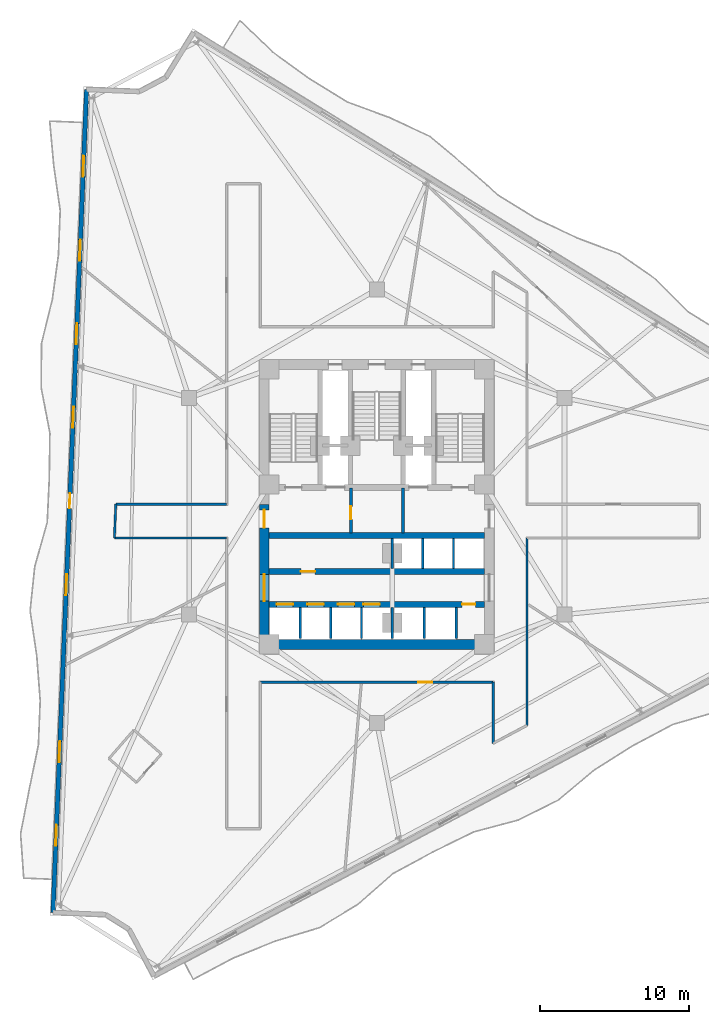
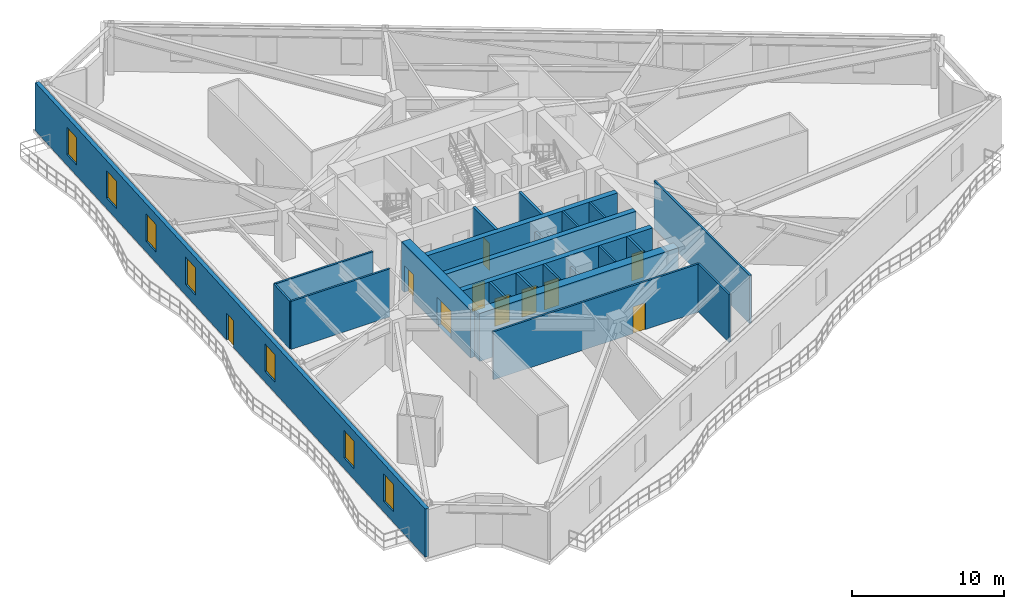
# One storey, part 6 of 12: 23 walls, 11 doors, 7 windows, 18 openings.
"""IFC4 building model written with IfcOpenShell, lengths in metres."""

from ifc_helpers import new_model, si_unit, direction, frame, frame_2d, origin, place, context, subcontext, project, spatial, rectangle, extrude, material, layer, layer_set, type_object, element, fill, save


model = new_model("IFC4")

# Units and contexts
model_context = context("Model", 3, precision=1e-05, world=origin(), true_north=direction((0.0, 1.0)))
body_context = subcontext(model_context, "Body", "Model", "MODEL_VIEW")
ifc_project = project(units=[si_unit("LENGTHUNIT", "METRE"), si_unit("AREAUNIT", "SQUARE_METRE"), si_unit("VOLUMEUNIT", "CUBIC_METRE"), si_unit("PLANEANGLEUNIT", "RADIAN"), si_unit("MASSUNIT", "GRAM", prefix="KILO")], contexts=[model_context])

# Site, building, storey
site_placement = place(None, origin())
site = spatial("IfcSite", under=ifc_project, at=site_placement, CompositionType="ELEMENT")
building_placement = place(site_placement, origin())
building = spatial("IfcBuilding", under=site, at=building_placement, Name="Apsidion Concourse Tower", CompositionType="ELEMENT")
storey_placement = place(building_placement, frame((0.0, 0.0, 181.89990234375)))
storey = spatial("IfcBuildingStorey", under=building, at=storey_placement, Name="L42", CompositionType="ELEMENT", Elevation=181.89990234375)

# Wall, openings, door, windows
ifc_material_1 = material(Name="Precast concrete C40/50", Category="concrete")
ifc_layer_1 = layer(ifc_material_1, 0.300048828125)
ifc_layer_set_1 = layer_set([ifc_layer_1], Name="Precast concrete C40/50")
wall_type_1 = type_object("IfcWallType", Name="WL-EXT-300", PredefinedType="STANDARD", material=ifc_layer_set_1)
wall_1_placement = place(storey_placement, frame((-21.66748046875, -27.184326171875, 0.0), z_axis=(0.0, 0.0, 1.0), x_axis=(0.040813869681, 0.999166766882, 0.0)))
wall_1 = element("IfcWall", 1, at=wall_1_placement, inside=storey, type_object=wall_type_1, Name="L42 Precast Stone Facade Wall 09", PredefinedType="STANDARD", context=body_context, shape_type="SweptSolid", body=[
    extrude(rectangle(XDim=55.1103515625, YDim=0.300048828125, at=frame_2d((27.55517578125, 0.0))), origin(), (0.0, 0.0, 1.0), 3.85009765625),
])
opening_1_placement = place(wall_1_placement, frame((27.055419921875, 0.0, 0.0)))
opening_1 = element("IfcOpeningElement", 2, at=opening_1_placement, cuts=wall_1, Name="Opening D-T1L", PredefinedType="OPENING", context=body_context, shape_type="SweptSolid", body=[
    extrude(rectangle(XDim=1.0, YDim=2.14990234375, at=frame_2d((0.5, 1.074951171875))), frame((0.0, 0.16015625, 0.0), z_axis=(0.0, -1.0, 0.0), x_axis=(1.0, 0.0, 0.0)), (0.0, 0.0, 1.0), 0.320068359375),
])
opening_2_placement = place(wall_1_placement, frame((4.455322265625, 0.0, 0.85009765625)))
opening_2 = element("IfcOpeningElement", 3, at=opening_2_placement, cuts=wall_1, Name="Opening WN-05", PredefinedType="OPENING", context=body_context, shape_type="SweptSolid", body=[
    extrude(rectangle(XDim=1.39990234375, YDim=2.199951171875, at=frame_2d((0.699951171875, 1.10009765625))), frame((0.0, 0.16015625, 0.0), z_axis=(0.0, -1.0, 0.0), x_axis=(1.0, 0.0, 0.0)), (0.0, 0.0, 1.0), 0.320068359375),
])
opening_3_placement = place(wall_1_placement, frame((10.055419921875, 0.0, 0.85009765625)))
opening_3 = element("IfcOpeningElement", 4, at=opening_3_placement, cuts=wall_1, Name="Opening WN-05", PredefinedType="OPENING", context=body_context, shape_type="SweptSolid", body=[
    extrude(rectangle(XDim=1.39990234375, YDim=2.199951171875, at=frame_2d((0.699951171875, 1.10009765625))), frame((0.0, 0.16015625, 0.0), z_axis=(0.0, -1.0, 0.0), x_axis=(1.0, 0.0, 0.0)), (0.0, 0.0, 1.0), 0.320068359375),
])
opening_4_placement = place(wall_1_placement, frame((21.25537109375, 0.0, 0.85009765625)))
opening_4 = element("IfcOpeningElement", 5, at=opening_4_placement, cuts=wall_1, Name="Opening WN-05", PredefinedType="OPENING", context=body_context, shape_type="SweptSolid", body=[
    extrude(rectangle(XDim=1.39990234375, YDim=2.199951171875, at=frame_2d((0.699951171875, 1.10009765625))), frame((0.0, 0.16015625, 0.0), z_axis=(0.0, -1.0, 0.0), x_axis=(1.0, 0.0, 0.0)), (0.0, 0.0, 1.0), 0.320068359375),
])
opening_5_placement = place(wall_1_placement, frame((32.455322265625, 0.0, 0.85009765625)))
opening_5 = element("IfcOpeningElement", 6, at=opening_5_placement, cuts=wall_1, Name="Opening WN-05", PredefinedType="OPENING", context=body_context, shape_type="SweptSolid", body=[
    extrude(rectangle(XDim=1.39990234375, YDim=2.199951171875, at=frame_2d((0.699951171875, 1.10009765625))), frame((0.0, 0.16015625, 0.0), z_axis=(0.0, -1.0, 0.0), x_axis=(1.0, 0.0, 0.0)), (0.0, 0.0, 1.0), 0.320068359375),
])
opening_6_placement = place(wall_1_placement, frame((38.055419921875, 0.0, 0.85009765625)))
opening_6 = element("IfcOpeningElement", 7, at=opening_6_placement, cuts=wall_1, Name="Opening WN-05", PredefinedType="OPENING", context=body_context, shape_type="SweptSolid", body=[
    extrude(rectangle(XDim=1.39990234375, YDim=2.199951171875, at=frame_2d((0.699951171875, 1.10009765625))), frame((0.0, 0.16015625, 0.0), z_axis=(0.0, -1.0, 0.0), x_axis=(1.0, 0.0, 0.0)), (0.0, 0.0, 1.0), 0.320068359375),
])
opening_7_placement = place(wall_1_placement, frame((43.6552734375, 0.0, 0.85009765625)))
opening_7 = element("IfcOpeningElement", 8, at=opening_7_placement, cuts=wall_1, Name="Opening WN-05", PredefinedType="OPENING", context=body_context, shape_type="SweptSolid", body=[
    extrude(rectangle(XDim=1.39990234375, YDim=2.199951171875, at=frame_2d((0.699951171875, 1.10009765625))), frame((0.0, 0.16015625, 0.0), z_axis=(0.0, -1.0, 0.0), x_axis=(1.0, 0.0, 0.0)), (0.0, 0.0, 1.0), 0.320068359375),
])
opening_8_placement = place(wall_1_placement, frame((49.25537109375, 0.0, 0.85009765625)))
opening_8 = element("IfcOpeningElement", 9, at=opening_8_placement, cuts=wall_1, Name="Opening WN-05", PredefinedType="OPENING", context=body_context, shape_type="SweptSolid", body=[
    extrude(rectangle(XDim=1.39990234375, YDim=2.199951171875, at=frame_2d((0.699951171875, 1.10009765625))), frame((0.0, 0.16015625, 0.0), z_axis=(0.0, -1.0, 0.0), x_axis=(1.0, 0.0, 0.0)), (0.0, 0.0, 1.0), 0.320068359375),
])
ifc_material_2 = material(Name="Anodised aluminium EN AW-6063 T6", Category="aluminium")
door_type_1 = type_object("IfcDoorType", Name="DR-TER-1022L", OperationType="SINGLE_SWING_LEFT", PredefinedType="DOOR", material=ifc_material_2)
door_1_placement = place(opening_1_placement, origin())
door_1 = element("IfcDoor", 10, at=door_1_placement, inside=storey, type_object=door_type_1, Name="L42 Balcony Access Door 1", OperationType="SINGLE_SWING_LEFT", OverallHeight=2.14990234375, OverallWidth=1.0, PredefinedType="DOOR", context=body_context, shape_type="SweptSolid", body=[
    extrude(rectangle(XDim=1.0, YDim=2.14990234375, at=frame_2d((0.5, 1.074951171875))), frame((0.0, 0.02490234375, 0.0), z_axis=(0.0, -1.0, 0.0), x_axis=(1.0, 0.0, 0.0)), (0.0, 0.0, 1.0), 0.050048828125),
])
fill(opening_1, door_1)
ifc_material_3 = material(Name="Insulated laminated low-E glass", Category="glass")
window_type = type_object("IfcWindowType", Name="WN-OFF-1424", PartitioningType="SINGLE_PANEL", PredefinedType="WINDOW", material=ifc_material_3)
window_1_placement = place(opening_2_placement, origin())
window_1 = element("IfcWindow", 11, at=window_1_placement, inside=storey, type_object=window_type, Name="L42 Punched Facade Window 9-01", OverallHeight=2.199951171875, OverallWidth=1.39990234375, PartitioningType="SINGLE_PANEL", PredefinedType="WINDOW", context=body_context, shape_type="SweptSolid", body=[
    extrude(rectangle(XDim=1.39990234375, YDim=2.199951171875, at=frame_2d((0.699951171875, 1.10009765625))), frame((0.0, 0.030029296875, 0.0), z_axis=(0.0, -1.0, 0.0), x_axis=(1.0, 0.0, 0.0)), (0.0, 0.0, 1.0), 0.06005859375),
])
fill(opening_2, window_1)
window_2_placement = place(opening_3_placement, origin())
window_2 = element("IfcWindow", 12, at=window_2_placement, inside=storey, type_object=window_type, Name="L42 Punched Facade Window 9-02", OverallHeight=2.199951171875, OverallWidth=1.39990234375, PartitioningType="SINGLE_PANEL", PredefinedType="WINDOW", context=body_context, shape_type="SweptSolid", body=[
    extrude(rectangle(XDim=1.39990234375, YDim=2.199951171875, at=frame_2d((0.699951171875, 1.10009765625))), frame((0.0, 0.030029296875, 0.0), z_axis=(0.0, -1.0, 0.0), x_axis=(1.0, 0.0, 0.0)), (0.0, 0.0, 1.0), 0.06005859375),
])
fill(opening_3, window_2)
window_3_placement = place(opening_4_placement, origin())
window_3 = element("IfcWindow", 13, at=window_3_placement, inside=storey, type_object=window_type, Name="L42 Punched Facade Window 9-04", OverallHeight=2.199951171875, OverallWidth=1.39990234375, PartitioningType="SINGLE_PANEL", PredefinedType="WINDOW", context=body_context, shape_type="SweptSolid", body=[
    extrude(rectangle(XDim=1.39990234375, YDim=2.199951171875, at=frame_2d((0.699951171875, 1.10009765625))), frame((0.0, 0.030029296875, 0.0), z_axis=(0.0, -1.0, 0.0), x_axis=(1.0, 0.0, 0.0)), (0.0, 0.0, 1.0), 0.06005859375),
])
fill(opening_4, window_3)
window_4_placement = place(opening_5_placement, origin())
window_4 = element("IfcWindow", 14, at=window_4_placement, inside=storey, type_object=window_type, Name="L42 Punched Facade Window 9-06", OverallHeight=2.199951171875, OverallWidth=1.39990234375, PartitioningType="SINGLE_PANEL", PredefinedType="WINDOW", context=body_context, shape_type="SweptSolid", body=[
    extrude(rectangle(XDim=1.39990234375, YDim=2.199951171875, at=frame_2d((0.699951171875, 1.10009765625))), frame((0.0, 0.030029296875, 0.0), z_axis=(0.0, -1.0, 0.0), x_axis=(1.0, 0.0, 0.0)), (0.0, 0.0, 1.0), 0.06005859375),
])
fill(opening_5, window_4)
window_5_placement = place(opening_6_placement, origin())
window_5 = element("IfcWindow", 15, at=window_5_placement, inside=storey, type_object=window_type, Name="L42 Punched Facade Window 9-07", OverallHeight=2.199951171875, OverallWidth=1.39990234375, PartitioningType="SINGLE_PANEL", PredefinedType="WINDOW", context=body_context, shape_type="SweptSolid", body=[
    extrude(rectangle(XDim=1.39990234375, YDim=2.199951171875, at=frame_2d((0.699951171875, 1.10009765625))), frame((0.0, 0.030029296875, 0.0), z_axis=(0.0, -1.0, 0.0), x_axis=(1.0, 0.0, 0.0)), (0.0, 0.0, 1.0), 0.06005859375),
])
fill(opening_6, window_5)
window_6_placement = place(opening_7_placement, origin())
window_6 = element("IfcWindow", 16, at=window_6_placement, inside=storey, type_object=window_type, Name="L42 Punched Facade Window 9-08", OverallHeight=2.199951171875, OverallWidth=1.39990234375, PartitioningType="SINGLE_PANEL", PredefinedType="WINDOW", context=body_context, shape_type="SweptSolid", body=[
    extrude(rectangle(XDim=1.39990234375, YDim=2.199951171875, at=frame_2d((0.699951171875, 1.10009765625))), frame((0.0, 0.030029296875, 0.0), z_axis=(0.0, -1.0, 0.0), x_axis=(1.0, 0.0, 0.0)), (0.0, 0.0, 1.0), 0.06005859375),
])
fill(opening_7, window_6)
window_7_placement = place(opening_8_placement, origin())
window_7 = element("IfcWindow", 17, at=window_7_placement, inside=storey, type_object=window_type, Name="L42 Punched Facade Window 9-09", OverallHeight=2.199951171875, OverallWidth=1.39990234375, PartitioningType="SINGLE_PANEL", PredefinedType="WINDOW", context=body_context, shape_type="SweptSolid", body=[
    extrude(rectangle(XDim=1.39990234375, YDim=2.199951171875, at=frame_2d((0.699951171875, 1.10009765625))), frame((0.0, 0.030029296875, 0.0), z_axis=(0.0, -1.0, 0.0), x_axis=(1.0, 0.0, 0.0)), (0.0, 0.0, 1.0), 0.06005859375),
])
fill(opening_8, window_7)

# Walls
ifc_material_4 = material(Name="Gypsum plasterboard partition")
ifc_layer_2 = layer(ifc_material_4, 0.14990234375)
ifc_layer_set_2 = layer_set([ifc_layer_2], Name="Gypsum plasterboard partition")
wall_type_2 = type_object("IfcWallType", Name="WL-INT-PAR-150", PredefinedType="PARTITIONING", material=ifc_layer_set_2)
for number, where, z_axis, x_axis, name in (
    (18, (3.074951171875, -4.179931640625, 0.0), (0.0, 0.0, 1.0), (0.0, 1.0, 0.0), "L42 Interior Partition WL-L42-B3DIV-1"),
    (19, (5.125, -4.179931640625, 0.0), (0.0, 0.0, 1.0), (0.0, 1.0, 0.0), "L42 Interior Partition WL-L42-B3DIV-2"),
):
    element("IfcWall", number, at=place(storey_placement, frame(where, z_axis=z_axis, x_axis=x_axis)), inside=storey, type_object=wall_type_2, Name=name, PredefinedType="PARTITIONING", context=body_context, shape_type="SweptSolid", body=[
        extrude(rectangle(XDim=2.030029296875, YDim=0.14990234375, at=frame_2d((1.01513671875, 0.0))), origin(), (0.0, 0.0, 1.0), 3.85009765625),
    ])
for number, where, z_axis, x_axis, name in (
    (20, (-5.125, -8.85009765625, 0.0), (0.0, 0.0, 1.0), (0.0, 1.0, 0.0), "L42 Interior Partition WL-L42-B2DIV-1"),
    (21, (-3.074951171875, -8.85009765625, 0.0), (0.0, 0.0, 1.0), (0.0, 1.0, 0.0), "L42 Interior Partition WL-L42-B2DIV-2"),
    (22, (-1.02490234375, -8.85009765625, 0.0), (0.0, 0.0, 1.0), (0.0, 1.0, 0.0), "L42 Interior Partition WL-L42-B2DIV-3"),
    (23, (3.175048828125, -8.85009765625, 0.0), (0.0, 0.0, 1.0), (0.0, 1.0, 0.0), "L42 Interior Partition WL-L42-SHDIV-1"),
):
    element("IfcWall", number, at=place(storey_placement, frame(where, z_axis=z_axis, x_axis=x_axis)), inside=storey, type_object=wall_type_2, Name=name, PredefinedType="PARTITIONING", context=body_context, shape_type="SweptSolid", body=[
        extrude(rectangle(XDim=2.080078125, YDim=0.14990234375, at=frame_2d((1.0400390625, 0.0))), origin(), (0.0, 0.0, 1.0), 3.85009765625),
    ])
wall_2_placement = place(storey_placement, frame((7.7900390625, -15.87060546875, 0.0), z_axis=(0.0, 0.0, 1.0), x_axis=(0.0, 1.0, 0.0)))
element("IfcWall", 24, at=wall_2_placement, inside=storey, type_object=wall_type_2, Name="L42 Interior Partition WL-L42-CORR-02", PredefinedType="PARTITIONING", context=body_context, shape_type="SweptSolid", body=[
    extrude(rectangle(XDim=4.095703125, YDim=0.14990234375, at=frame_2d((2.0478515625, 0.0))), origin(), (0.0, 0.0, 1.0), 3.85009765625),
])

# Wall, opening, door
wall_3_placement = place(storey_placement, frame((7.7900390625, -11.77490234375, 0.0), z_axis=(0.0, 0.0, 1.0), x_axis=(-1.0, 0.0, 0.0)))
wall_3 = element("IfcWall", 25, at=wall_3_placement, inside=storey, type_object=wall_type_2, Name="L42 Interior Partition WL-L42-CORR-03", PredefinedType="PARTITIONING", context=body_context, shape_type="SweptSolid", body=[
    extrude(rectangle(XDim=15.580078125, YDim=0.14990234375, at=frame_2d((7.7900390625, 0.0))), origin(), (0.0, 0.0, 1.0), 3.85009765625),
])
opening_9_placement = place(wall_3_placement, frame((4.066650390625, 0.0, 0.0)))
opening_9 = element("IfcOpeningElement", 26, at=opening_9_placement, cuts=wall_3, Name="Opening D-01R", PredefinedType="OPENING", context=body_context, shape_type="SweptSolid", body=[
    extrude(rectangle(XDim=0.949951171875, YDim=2.14990234375, at=frame_2d((0.47509765625, 1.074951171875))), frame((0.0, 0.0849609375, 0.0), z_axis=(0.0, -1.0, 0.0), x_axis=(1.0, 0.0, 0.0)), (0.0, 0.0, 1.0), 0.169921875),
])
ifc_material_5 = material(Name="Brushed stainless steel 316", Category="steel")
door_type_2 = type_object("IfcDoorType", Name="DR-INT-D01R", OperationType="SINGLE_SWING_RIGHT", PredefinedType="DOOR", material=ifc_material_5)
door_2_placement = place(opening_9_placement, origin())
door_2 = element("IfcDoor", 27, at=door_2_placement, inside=storey, type_object=door_type_2, Name="L42 Corridor Entry Door 02", OperationType="SINGLE_SWING_RIGHT", OverallHeight=2.14990234375, OverallWidth=0.949951171875, PredefinedType="DOOR", context=body_context, shape_type="SweptSolid", body=[
    extrude(rectangle(XDim=0.949951171875, YDim=2.14990234375, at=frame_2d((0.47509765625, 1.074951171875))), frame((0.0, 0.02490234375, 0.0), z_axis=(0.0, -1.0, 0.0), x_axis=(1.0, 0.0, 0.0)), (0.0, 0.0, 1.0), 0.050048828125),
])
fill(opening_9, door_2)

# Walls
wall_4_placement = place(storey_placement, frame((-10.050048828125, -2.1298828125, 0.0), z_axis=(0.0, 0.0, 1.0), x_axis=(-1.0, 0.0, 0.0)))
element("IfcWall", 28, at=wall_4_placement, inside=storey, type_object=wall_type_2, Name="L42 Interior Partition WL-L42-CORR-07", PredefinedType="PARTITIONING", context=body_context, shape_type="SweptSolid", body=[
    extrude(rectangle(XDim=7.50634765625, YDim=0.14990234375, at=frame_2d((3.753173828125, 0.0))), origin(), (0.0, 0.0, 1.0), 3.85009765625),
])
wall_5_placement = place(storey_placement, frame((-17.556396484375, -2.1298828125, 0.0), z_axis=(0.0, 0.0, 1.0), x_axis=(0.040804363078, 0.999167155162, 0.0)))
element("IfcWall", 29, at=wall_5_placement, inside=storey, type_object=wall_type_2, Name="L42 Interior Partition WL-L42-CORR-08", PredefinedType="PARTITIONING", context=body_context, shape_type="SweptSolid", body=[
    extrude(rectangle(XDim=2.26171875, YDim=0.14990234375, at=frame_2d((1.130859375, 0.0))), origin(), (0.0, 0.0, 1.0), 3.85009765625),
])
wall_6_placement = place(storey_placement, frame((-17.464111328125, 0.1298828125, 0.0), z_axis=(0.0, 0.0, 1.0), x_axis=(1.0, 0.0, 0.0)))
element("IfcWall", 30, at=wall_6_placement, inside=storey, type_object=wall_type_2, Name="L42 Interior Partition WL-L42-CORR-09", PredefinedType="PARTITIONING", context=body_context, shape_type="SweptSolid", body=[
    extrude(rectangle(XDim=7.4140625, YDim=0.14990234375, at=frame_2d((3.70703125, 0.0))), origin(), (0.0, 0.0, 1.0), 3.85009765625),
])
wall_7_placement = place(storey_placement, frame((10.050048828125, -2.1298828125, 0.0), z_axis=(0.0, 0.0, 1.0), x_axis=(0.0, -1.0, 0.0)))
element("IfcWall", 31, at=wall_7_placement, inside=storey, type_object=wall_type_2, Name="L42 Interior Partition WL-L42-CORR-20", PredefinedType="PARTITIONING", context=body_context, shape_type="SweptSolid", body=[
    extrude(rectangle(XDim=12.5390625, YDim=0.14990234375, at=frame_2d((6.26953125, 0.0))), origin(), (0.0, 0.0, 1.0), 3.85009765625),
])
ifc_layer_3 = layer(ifc_material_4, 0.179931640625)
ifc_layer_set_3 = layer_set([ifc_layer_3], Name="Gypsum plasterboard partition")
wall_type_3 = type_object("IfcWallType", Name="WL-INT-PAR-180", PredefinedType="PARTITIONING", material=ifc_layer_set_3)
wall_8_placement = place(storey_placement, frame((1.02490234375, -4.179931640625, 0.0), z_axis=(0.0, 0.0, 1.0), x_axis=(0.0, 1.0, 0.0)))
element("IfcWall", 32, at=wall_8_placement, inside=storey, type_object=wall_type_3, Name="L42 Interior Partition WL-L42-B1END", PredefinedType="PARTITIONING", context=body_context, shape_type="SweptSolid", body=[
    extrude(rectangle(XDim=2.030029296875, YDim=0.179931640625, at=frame_2d((1.01513671875, 0.0))), origin(), (0.0, 0.0, 1.0), 2.898193359375),
])
wall_9_placement = place(storey_placement, frame((1.02490234375, -8.85009765625, 0.0), z_axis=(0.0, 0.0, 1.0), x_axis=(0.0, 1.0, 0.0)))
element("IfcWall", 33, at=wall_9_placement, inside=storey, type_object=wall_type_3, Name="L42 Interior Partition WL-L42-B2END", PredefinedType="PARTITIONING", context=body_context, shape_type="SweptSolid", body=[
    extrude(rectangle(XDim=2.080078125, YDim=0.179931640625, at=frame_2d((1.0400390625, 0.0))), origin(), (0.0, 0.0, 1.0), 2.898193359375),
])
wall_10_placement = place(storey_placement, frame((5.324951171875, -8.85009765625, 0.0), z_axis=(0.0, 0.0, 1.0), x_axis=(0.0, 1.0, 0.0)))
element("IfcWall", 34, at=wall_10_placement, inside=storey, type_object=wall_type_3, Name="L42 Interior Partition WL-L42-SHDIV-2", PredefinedType="PARTITIONING", context=body_context, shape_type="SweptSolid", body=[
    extrude(rectangle(XDim=2.080078125, YDim=0.179931640625, at=frame_2d((1.0400390625, 0.0))), origin(), (0.0, 0.0, 1.0), 3.85009765625),
])

# Wall, opening, door
ifc_layer_4 = layer(ifc_material_4, 0.199951171875)
ifc_layer_set_4 = layer_set([ifc_layer_4], Name="Gypsum plasterboard partition")
wall_type_4 = type_object("IfcWallType", Name="WL-INT-PAR-200", PredefinedType="PARTITIONING", material=ifc_layer_set_4)
wall_11_placement = place(storey_placement, frame((-1.739990234375, -1.780029296875, 0.0), z_axis=(0.0, 0.0, 1.0), x_axis=(0.0, 1.0, 0.0)))
wall_11 = element("IfcWall", 35, at=wall_11_placement, inside=storey, type_object=wall_type_4, Name="L42 Interior Partition WL-L42-FF1-E", PredefinedType="PARTITIONING", context=body_context, shape_type="SweptSolid", body=[
    extrude(rectangle(XDim=2.97998046875, YDim=0.199951171875, at=frame_2d((1.489990234375, 0.0))), origin(), (0.0, 0.0, 1.0), 3.85009765625),
])
opening_10_placement = place(wall_11_placement, frame((0.889892578125, 0.0, 0.0)))
opening_10 = element("IfcOpeningElement", 36, at=opening_10_placement, cuts=wall_11, Name="Opening D-05R", PredefinedType="OPENING", context=body_context, shape_type="SweptSolid", body=[
    extrude(rectangle(XDim=0.8798828125, YDim=2.14990234375, at=frame_2d((0.43994140625, 1.074951171875))), frame((0.0, 0.10986328125, 0.0), z_axis=(0.0, -1.0, 0.0), x_axis=(1.0, 0.0, 0.0)), (0.0, 0.0, 1.0), 0.219970703125),
])
door_type_3 = type_object("IfcDoorType", Name="DR-INT-D05R", OperationType="SINGLE_SWING_RIGHT", PredefinedType="DOOR", material=ifc_material_5)
door_3_placement = place(opening_10_placement, origin())
door_3 = element("IfcDoor", 37, at=door_3_placement, inside=storey, type_object=door_type_3, Name="L42 Core BMS Door", OperationType="SINGLE_SWING_RIGHT", OverallHeight=2.14990234375, OverallWidth=0.8798828125, PredefinedType="DOOR", context=body_context, shape_type="SweptSolid", body=[
    extrude(rectangle(XDim=0.8798828125, YDim=2.14990234375, at=frame_2d((0.43994140625, 1.074951171875))), frame((0.0, 0.02490234375, 0.0), z_axis=(0.0, -1.0, 0.0), x_axis=(1.0, 0.0, 0.0)), (0.0, 0.0, 1.0), 0.050048828125),
])
fill(opening_10, door_3)

# Walls
wall_12_placement = place(storey_placement, frame((1.739990234375, -1.780029296875, 0.0), z_axis=(0.0, 0.0, 1.0), x_axis=(0.0, 1.0, 0.0)))
element("IfcWall", 38, at=wall_12_placement, inside=storey, type_object=wall_type_4, Name="L42 Interior Partition WL-L42-FF2-W", PredefinedType="PARTITIONING", context=body_context, shape_type="SweptSolid", body=[
    extrude(rectangle(XDim=2.97998046875, YDim=0.199951171875, at=frame_2d((1.489990234375, 0.0))), origin(), (0.0, 0.0, 1.0), 3.85009765625),
])
ifc_material_6 = material(Name="Concrete C50/60", Category="concrete")
ifc_layer_5 = layer(ifc_material_6, 0.39990234375)
ifc_layer_set_5 = layer_set([ifc_layer_5], Name="Concrete C50/60")
wall_type_5 = type_object("IfcWallType", Name="WL-SH-400", PredefinedType="SHEAR", material=ifc_layer_set_5)
wall_13_placement = place(storey_placement, frame((-7.199951171875, -1.949951171875, 0.0), z_axis=(0.0, 0.0, 1.0), x_axis=(1.0, 0.0, 0.0)))
element("IfcWall", 39, at=wall_13_placement, inside=storey, type_object=wall_type_5, Name="L42 Central Core Shear Wall M2", PredefinedType="SHEAR", context=body_context, shape_type="SweptSolid", body=[
    extrude(rectangle(XDim=14.39990234375, YDim=0.39990234375, at=frame_2d((7.199951171875, 0.0))), origin(), (0.0, 0.0, 1.0), 3.85009765625),
])

# Wall, opening, door
wall_14_placement = place(storey_placement, frame((-7.199951171875, -4.3798828125, 0.0), z_axis=(0.0, 0.0, 1.0), x_axis=(1.0, 0.0, 0.0)))
wall_14 = element("IfcWall", 40, at=wall_14_placement, inside=storey, type_object=wall_type_5, Name="L42 Central Core Shear Wall LA", PredefinedType="SHEAR", context=body_context, shape_type="SweptSolid", body=[
    extrude(rectangle(XDim=14.39990234375, YDim=0.39990234375, at=frame_2d((7.199951171875, 0.0))), origin(), (0.0, 0.0, 1.0), 3.85009765625),
])
opening_11_placement = place(wall_14_placement, frame((2.125, 0.0, 0.0)))
opening_11 = element("IfcOpeningElement", 41, at=opening_11_placement, cuts=wall_14, Name="Opening D-04L", PredefinedType="OPENING", context=body_context, shape_type="SweptSolid", body=[
    extrude(rectangle(XDim=0.949951171875, YDim=2.14990234375, at=frame_2d((0.47509765625, 1.074951171875))), frame((0.0, 0.2099609375, 0.0), z_axis=(0.0, -1.0, 0.0), x_axis=(1.0, 0.0, 0.0)), (0.0, 0.0, 1.0), 0.419921875),
])
door_type_4 = type_object("IfcDoorType", Name="DR-INT-D04L", OperationType="SINGLE_SWING_LEFT", PredefinedType="DOOR", material=ifc_material_5)
door_4_placement = place(opening_11_placement, origin())
door_4 = element("IfcDoor", 42, at=door_4_placement, inside=storey, type_object=door_type_4, Name="L42 Tenant Archive and Print Room Door", OperationType="SINGLE_SWING_LEFT", OverallHeight=2.14990234375, OverallWidth=0.949951171875, PredefinedType="DOOR", context=body_context, shape_type="SweptSolid", body=[
    extrude(rectangle(XDim=0.949951171875, YDim=2.14990234375, at=frame_2d((0.47509765625, 1.074951171875))), frame((0.0, 0.02490234375, 0.0), z_axis=(0.0, -1.0, 0.0), x_axis=(1.0, 0.0, 0.0)), (0.0, 0.0, 1.0), 0.050048828125),
])
fill(opening_11, door_4)

# Wall, openings, doors
wall_15_placement = place(storey_placement, frame((-7.199951171875, -6.570068359375, 0.0), z_axis=(0.0, 0.0, 1.0), x_axis=(1.0, 0.0, 0.0)))
wall_15 = element("IfcWall", 43, at=wall_15_placement, inside=storey, type_object=wall_type_5, Name="L42 Central Core Shear Wall LB", PredefinedType="SHEAR", context=body_context, shape_type="SweptSolid", body=[
    extrude(rectangle(XDim=14.39990234375, YDim=0.39990234375, at=frame_2d((7.199951171875, 0.0))), origin(), (0.0, 0.0, 1.0), 3.85009765625),
])
opening_12_placement = place(wall_15_placement, frame((0.5, 0.0, 0.0)))
opening_12 = element("IfcOpeningElement", 44, at=opening_12_placement, cuts=wall_15, Name="Opening LD-P1", PredefinedType="OPENING", context=body_context, shape_type="SweptSolid", body=[
    extrude(rectangle(XDim=1.10009765625, YDim=2.199951171875, at=frame_2d((0.550048828125, 1.10009765625))), frame((0.0, 0.2099609375, 0.0), z_axis=(0.0, -1.0, 0.0), x_axis=(1.0, 0.0, 0.0)), (0.0, 0.0, 1.0), 0.419921875),
])
opening_13_placement = place(wall_15_placement, frame((2.550048828125, 0.0, 0.0)))
opening_13 = element("IfcOpeningElement", 45, at=opening_13_placement, cuts=wall_15, Name="Opening LD-P1", PredefinedType="OPENING", context=body_context, shape_type="SweptSolid", body=[
    extrude(rectangle(XDim=1.10009765625, YDim=2.199951171875, at=frame_2d((0.550048828125, 1.10009765625))), frame((0.0, 0.2099609375, 0.0), z_axis=(0.0, -1.0, 0.0), x_axis=(1.0, 0.0, 0.0)), (0.0, 0.0, 1.0), 0.419921875),
])
opening_14_placement = place(wall_15_placement, frame((4.60009765625, 0.0, 0.0)))
opening_14 = element("IfcOpeningElement", 46, at=opening_14_placement, cuts=wall_15, Name="Opening LD-P1", PredefinedType="OPENING", context=body_context, shape_type="SweptSolid", body=[
    extrude(rectangle(XDim=1.10009765625, YDim=2.199951171875, at=frame_2d((0.550048828125, 1.10009765625))), frame((0.0, 0.2099609375, 0.0), z_axis=(0.0, -1.0, 0.0), x_axis=(1.0, 0.0, 0.0)), (0.0, 0.0, 1.0), 0.419921875),
])
opening_15_placement = place(wall_15_placement, frame((6.300048828125, 0.0, 0.0)))
opening_15 = element("IfcOpeningElement", 47, at=opening_15_placement, cuts=wall_15, Name="Opening LD-P1", PredefinedType="OPENING", context=body_context, shape_type="SweptSolid", body=[
    extrude(rectangle(XDim=1.10009765625, YDim=2.199951171875, at=frame_2d((0.550048828125, 1.10009765625))), frame((0.0, 0.2099609375, 0.0), z_axis=(0.0, -1.0, 0.0), x_axis=(1.0, 0.0, 0.0)), (0.0, 0.0, 1.0), 0.419921875),
])
opening_16_placement = place(wall_15_placement, frame((12.909912109375, 0.0, 0.0)))
opening_16 = element("IfcOpeningElement", 48, at=opening_16_placement, cuts=wall_15, Name="Opening D-05L", PredefinedType="OPENING", context=body_context, shape_type="SweptSolid", body=[
    extrude(rectangle(XDim=0.8798828125, YDim=2.14990234375, at=frame_2d((0.43994140625, 1.074951171875))), frame((0.0, 0.2099609375, 0.0), z_axis=(0.0, -1.0, 0.0), x_axis=(1.0, 0.0, 0.0)), (0.0, 0.0, 1.0), 0.419921875),
])
door_type_5 = type_object("IfcDoorType", Name="DR-INT-D05L", OperationType="SINGLE_SWING_LEFT", PredefinedType="DOOR", material=ifc_material_5)
door_5_placement = place(opening_16_placement, origin())
door_5 = element("IfcDoor", 49, at=door_5_placement, inside=storey, type_object=door_type_5, Name="L42 Cleaners Store Door", OperationType="SINGLE_SWING_LEFT", OverallHeight=2.14990234375, OverallWidth=0.8798828125, PredefinedType="DOOR", context=body_context, shape_type="SweptSolid", body=[
    extrude(rectangle(XDim=0.8798828125, YDim=2.14990234375, at=frame_2d((0.43994140625, 1.074951171875))), frame((0.0, 0.02490234375, 0.0), z_axis=(0.0, -1.0, 0.0), x_axis=(1.0, 0.0, 0.0)), (0.0, 0.0, 1.0), 0.050048828125),
])
fill(opening_16, door_5)
door_type_6 = type_object("IfcDoorType", Name="DR-LD-PASS", OperationType="DOUBLE_DOOR_SLIDING", PredefinedType="DOOR", material=ifc_material_5)
door_6_placement = place(opening_12_placement, origin())
door_6 = element("IfcDoor", 50, at=door_6_placement, inside=storey, type_object=door_type_6, Name="L42 Lift Landing Door P5", OperationType="DOUBLE_DOOR_SLIDING", OverallHeight=2.199951171875, OverallWidth=1.10009765625, PredefinedType="DOOR", context=body_context, shape_type="SweptSolid", body=[
    extrude(rectangle(XDim=1.10009765625, YDim=2.199951171875, at=frame_2d((0.550048828125, 1.10009765625))), frame((0.0, 0.02490234375, 0.0), z_axis=(0.0, -1.0, 0.0), x_axis=(1.0, 0.0, 0.0)), (0.0, 0.0, 1.0), 0.050048828125),
])
fill(opening_12, door_6)
door_7_placement = place(opening_13_placement, origin())
door_7 = element("IfcDoor", 51, at=door_7_placement, inside=storey, type_object=door_type_6, Name="L42 Lift Landing Door P6", OperationType="DOUBLE_DOOR_SLIDING", OverallHeight=2.199951171875, OverallWidth=1.10009765625, PredefinedType="DOOR", context=body_context, shape_type="SweptSolid", body=[
    extrude(rectangle(XDim=1.10009765625, YDim=2.199951171875, at=frame_2d((0.550048828125, 1.10009765625))), frame((0.0, 0.02490234375, 0.0), z_axis=(0.0, -1.0, 0.0), x_axis=(1.0, 0.0, 0.0)), (0.0, 0.0, 1.0), 0.050048828125),
])
fill(opening_13, door_7)
door_8_placement = place(opening_14_placement, origin())
door_8 = element("IfcDoor", 52, at=door_8_placement, inside=storey, type_object=door_type_6, Name="L42 Lift Landing Door P7", OperationType="DOUBLE_DOOR_SLIDING", OverallHeight=2.199951171875, OverallWidth=1.10009765625, PredefinedType="DOOR", context=body_context, shape_type="SweptSolid", body=[
    extrude(rectangle(XDim=1.10009765625, YDim=2.199951171875, at=frame_2d((0.550048828125, 1.10009765625))), frame((0.0, 0.02490234375, 0.0), z_axis=(0.0, -1.0, 0.0), x_axis=(1.0, 0.0, 0.0)), (0.0, 0.0, 1.0), 0.050048828125),
])
fill(opening_14, door_8)
door_9_placement = place(opening_15_placement, origin())
door_9 = element("IfcDoor", 53, at=door_9_placement, inside=storey, type_object=door_type_6, Name="L42 Lift Landing Door P8", OperationType="DOUBLE_DOOR_SLIDING", OverallHeight=2.199951171875, OverallWidth=1.10009765625, PredefinedType="DOOR", context=body_context, shape_type="SweptSolid", body=[
    extrude(rectangle(XDim=1.10009765625, YDim=2.199951171875, at=frame_2d((0.550048828125, 1.10009765625))), frame((0.0, 0.02490234375, 0.0), z_axis=(0.0, -1.0, 0.0), x_axis=(1.0, 0.0, 0.0)), (0.0, 0.0, 1.0), 0.050048828125),
])
fill(opening_15, door_9)

ifc_layer_6 = layer(ifc_material_6, 0.64990234375)
ifc_layer_set_6 = layer_set([ifc_layer_6], Name="Concrete C50/60")
wall_type_6 = type_object("IfcWallType", Name="WL-SH-650", PredefinedType="SHEAR", material=ifc_layer_set_6)
wall_16_placement = place(storey_placement, frame((-7.52490234375, -8.925048828125, 0.0), z_axis=(0.0, 0.0, 1.0), x_axis=(0.0, 1.0, 0.0)))
wall_16 = element("IfcWall", 54, at=wall_16_placement, inside=storey, type_object=wall_type_6, Name="L42 Central Core Shear Wall WS", PredefinedType="SHEAR", context=body_context, shape_type="SweptSolid", body=[
    extrude(rectangle(XDim=9.025146484375, YDim=0.64990234375, at=frame_2d((4.5126953125, 0.0))), origin(), (0.0, 0.0, 1.0), 3.85009765625),
])
opening_17_placement = place(wall_16_placement, frame((2.56494140625, 0.0, 0.0)))
opening_17 = element("IfcOpeningElement", 55, at=opening_17_placement, cuts=wall_16, Name="Opening D-06D", PredefinedType="OPENING", context=body_context, shape_type="SweptSolid", body=[
    extrude(rectangle(XDim=1.800048828125, YDim=2.199951171875, at=frame_2d((0.89990234375, 1.10009765625))), frame((0.0, 0.3349609375, 0.0), z_axis=(0.0, -1.0, 0.0), x_axis=(1.0, 0.0, 0.0)), (0.0, 0.0, 1.0), 0.669921875),
])
opening_18_placement = place(wall_16_placement, frame((7.47509765625, 0.0, 0.0)))
opening_18 = element("IfcOpeningElement", 56, at=opening_18_placement, cuts=wall_16, Name="Opening D-FFL", PredefinedType="OPENING", context=body_context, shape_type="SweptSolid", body=[
    extrude(rectangle(XDim=1.199951171875, YDim=2.14990234375, at=frame_2d((0.60009765625, 1.074951171875))), frame((0.0, 0.3349609375, 0.0), z_axis=(0.0, -1.0, 0.0), x_axis=(1.0, 0.0, 0.0)), (0.0, 0.0, 1.0), 0.669921875),
])
door_type_7 = type_object("IfcDoorType", Name="DR-INT-D06D", OperationType="DOUBLE_DOOR_SINGLE_SWING", PredefinedType="DOOR", material=ifc_material_5)
door_10_placement = place(opening_17_placement, origin())
door_10 = element("IfcDoor", 57, at=door_10_placement, inside=storey, type_object=door_type_7, Name="L42 Passenger Lift Lobby WS Portal Door", OperationType="DOUBLE_DOOR_SINGLE_SWING", OverallHeight=2.199951171875, OverallWidth=1.800048828125, PredefinedType="DOOR", context=body_context, shape_type="SweptSolid", body=[
    extrude(rectangle(XDim=1.800048828125, YDim=2.199951171875, at=frame_2d((0.89990234375, 1.10009765625))), frame((0.0, 0.02490234375, 0.0), z_axis=(0.0, -1.0, 0.0), x_axis=(1.0, 0.0, 0.0)), (0.0, 0.0, 1.0), 0.050048828125),
])
fill(opening_17, door_10)
door_type_8 = type_object("IfcDoorType", Name="DR-INT-FFL", OperationType="SINGLE_SWING_LEFT", PredefinedType="DOOR", material=ifc_material_5)
door_11_placement = place(opening_18_placement, origin())
door_11 = element("IfcDoor", 58, at=door_11_placement, inside=storey, type_object=door_type_8, Name="L42 Firefighting Lift Lobby FF1 Door", OperationType="SINGLE_SWING_LEFT", OverallHeight=2.14990234375, OverallWidth=1.199951171875, PredefinedType="DOOR", context=body_context, shape_type="SweptSolid", body=[
    extrude(rectangle(XDim=1.199951171875, YDim=2.14990234375, at=frame_2d((0.60009765625, 1.074951171875))), frame((0.0, 0.02490234375, 0.0), z_axis=(0.0, -1.0, 0.0), x_axis=(1.0, 0.0, 0.0)), (0.0, 0.0, 1.0), 0.050048828125),
])
fill(opening_18, door_11)

# Wall
wall_17_placement = place(storey_placement, frame((-7.52490234375, -9.25, 0.0), z_axis=(0.0, 0.0, 1.0), x_axis=(1.0, 0.0, 0.0)))
element("IfcWall", 59, at=wall_17_placement, inside=storey, type_object=wall_type_6, Name="L42 Central Core Shear Wall S", PredefinedType="SHEAR", context=body_context, shape_type="SweptSolid", body=[
    extrude(rectangle(XDim=15.0498046875, YDim=0.64990234375, at=frame_2d((7.52490234375, 0.0))), origin(), (0.0, 0.0, 1.0), 3.85009765625),
])

save(model, "model.ifc")
